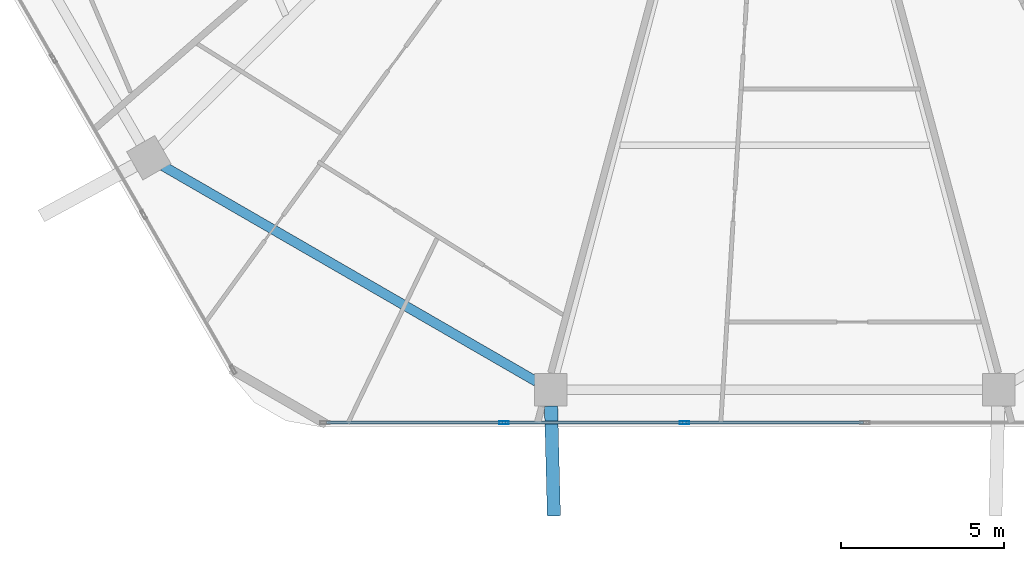
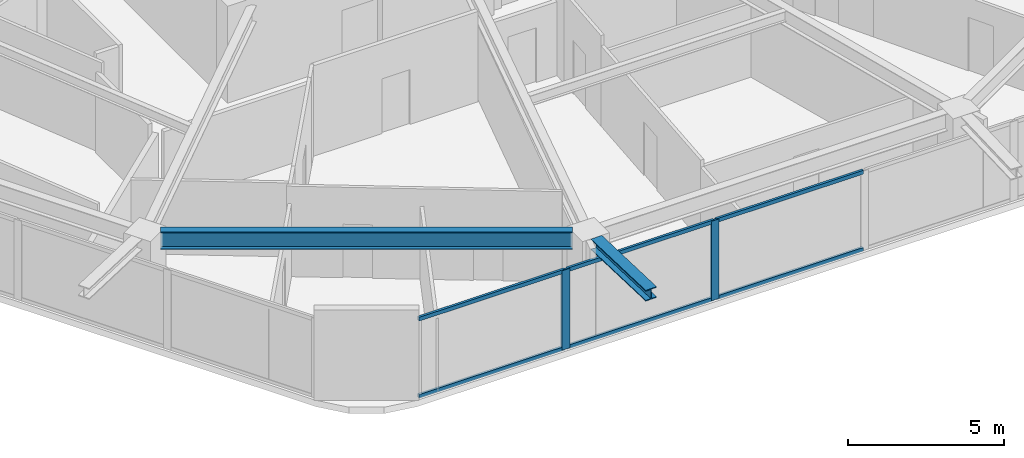
# One storey, part 3 of 26: 8 members, 2 beams, 1 element without a shape of its own.
"""IFC4 building model written with IfcOpenShell, lengths in metres."""

from ifc_helpers import new_model, si_unit, direction, frame, origin, origin_2d, place, context, subcontext, project, spatial, hollow_rectangle, i_section, extrude, material, material_profile, profile_set, type_object, element, aggregate, save


model = new_model("IFC4")

# Units and contexts
model_context = context("Model", 3, precision=1e-05, world=origin(), true_north=direction((0.0, 1.0)))
body_context = subcontext(model_context, "Body", "Model", "MODEL_VIEW")
ifc_project = project(units=[si_unit("LENGTHUNIT", "METRE"), si_unit("AREAUNIT", "SQUARE_METRE"), si_unit("VOLUMEUNIT", "CUBIC_METRE"), si_unit("PLANEANGLEUNIT", "RADIAN"), si_unit("MASSUNIT", "GRAM", prefix="KILO")], contexts=[model_context])

# Site, building, storey
site_placement = place(None, origin())
site = spatial("IfcSite", under=ifc_project, at=site_placement, CompositionType="ELEMENT")
building_placement = place(site_placement, origin())
building = spatial("IfcBuilding", under=site, at=building_placement, Name="Zuhravey Tower", CompositionType="ELEMENT")
storey_placement = place(building_placement, frame((0.0, 0.0, 165.60009765625)))
storey = spatial("IfcBuildingStorey", under=building, at=storey_placement, Name="L41", CompositionType="ELEMENT", Elevation=165.60009765625)

# Curtain wall, members
ifc_material_1 = material(Name="Thermally broken anodised aluminium", Category="aluminium")
curtain_wall_type = type_object("IfcCurtainWallType", Name="Zone 1-2 Residential Curtain Wall CW3", PredefinedType="NOTDEFINED", material=ifc_material_1)
curtain_wall_placement = place(storey_placement, origin())
curtain_wall = element("IfcCurtainWall", 1, at=curtain_wall_placement, inside=storey, type_object=curtain_wall_type, Name="L41 CW3 CW-L41-F5-1", PredefinedType="NOTDEFINED")
ifc_material_2 = material(Name="Anodised aluminium", Category="aluminium")
ifc_material_profile_1 = material_profile(ifc_material_2, hollow_rectangle(XDim=0.090087890625, YDim=0.284912109375, WallThickness=0.0048828125, at=origin_2d()), Name="ALU-RHS-90x285x5")
ifc_profile_set_1 = profile_set([ifc_material_profile_1], Name="Anodised aluminium")
member_type_1 = type_object("IfcMemberType", Name="Curtain-Wall Mullion 90x180", PredefinedType="MULLION", material=ifc_profile_set_1)
member_1_placement = place(storey_placement, frame((33.227783203125, 4.81689453125, 0.0), z_axis=(0.0, 0.0, 1.0), x_axis=(0.0, -1.0, 0.0)))
member_1 = element("IfcMember", 2, at=member_1_placement, type_object=member_type_1, Name="CW3 mullion 4", PredefinedType="MULLION", context=body_context, shape_type="SweptSolid", body=[
    extrude(hollow_rectangle(XDim=0.090087890625, YDim=0.284912109375, WallThickness=0.0048828125, at=origin_2d()), origin(), (0.0, 0.0, 1.0), 3.121826171875),
])
member_2_placement = place(storey_placement, frame((27.683349609375, 4.81689453125, 0.0), z_axis=(0.0, 0.0, 1.0), x_axis=(0.0, -1.0, 0.0)))
member_2 = element("IfcMember", 3, at=member_2_placement, type_object=member_type_1, Name="CW3 mullion 5", PredefinedType="MULLION", context=body_context, shape_type="SweptSolid", body=[
    extrude(hollow_rectangle(XDim=0.090087890625, YDim=0.284912109375, WallThickness=0.0048828125, at=origin_2d()), origin(), (0.0, 0.0, 1.0), 3.121826171875),
])
ifc_material_profile_2 = material_profile(ifc_material_2, hollow_rectangle(XDim=0.090087890625, YDim=0.14990234375, WallThickness=0.0048828125, at=origin_2d()), Name="ALU-RHS-90x150x5")
ifc_profile_set_2 = profile_set([ifc_material_profile_2], Name="Anodised aluminium")
member_type_2 = type_object("IfcMemberType", Name="Curtain-Wall Transom 90x150", PredefinedType="USERDEFINED", material=ifc_profile_set_2)
member_3_placement = place(storey_placement, frame((38.727294921875, 4.81689453125, 0.044921875), z_axis=(-1.0, 0.0, 0.0), x_axis=(0.0, -1.0, 0.0)))
member_3 = element("IfcMember", 4, at=member_3_placement, type_object=member_type_2, Name="CW3 transom 3.1", ObjectType="TRANSOM", PredefinedType="USERDEFINED", context=body_context, shape_type="SweptSolid", body=[
    extrude(hollow_rectangle(XDim=0.090087890625, YDim=0.14990234375, WallThickness=0.0048828125, at=origin_2d()), origin(), (0.0, 0.0, 1.0), 5.45458984375),
])
member_4_placement = place(storey_placement, frame((38.727294921875, 4.81689453125, 3.076904296875), z_axis=(-1.0, 0.0, 0.0), x_axis=(0.0, -1.0, 0.0)))
member_4 = element("IfcMember", 5, at=member_4_placement, type_object=member_type_2, Name="CW3 transom 3.2", ObjectType="TRANSOM", PredefinedType="USERDEFINED", context=body_context, shape_type="SweptSolid", body=[
    extrude(hollow_rectangle(XDim=0.090087890625, YDim=0.14990234375, WallThickness=0.0048828125, at=origin_2d()), origin(), (0.0, 0.0, 1.0), 5.45458984375),
])
member_5_placement = place(storey_placement, frame((33.182861328125, 4.81689453125, 0.044921875), z_axis=(-1.0, 0.0, 0.0), x_axis=(0.0, -1.0, 0.0)))
member_5 = element("IfcMember", 6, at=member_5_placement, type_object=member_type_2, Name="CW3 transom 4.1", ObjectType="TRANSOM", PredefinedType="USERDEFINED", context=body_context, shape_type="SweptSolid", body=[
    extrude(hollow_rectangle(XDim=0.090087890625, YDim=0.14990234375, WallThickness=0.0048828125, at=origin_2d()), origin(), (0.0, 0.0, 1.0), 5.45458984375),
])
member_6_placement = place(storey_placement, frame((33.182861328125, 4.81689453125, 3.076904296875), z_axis=(-1.0, 0.0, 0.0), x_axis=(0.0, -1.0, 0.0)))
member_6 = element("IfcMember", 7, at=member_6_placement, type_object=member_type_2, Name="CW3 transom 4.2", ObjectType="TRANSOM", PredefinedType="USERDEFINED", context=body_context, shape_type="SweptSolid", body=[
    extrude(hollow_rectangle(XDim=0.090087890625, YDim=0.14990234375, WallThickness=0.0048828125, at=origin_2d()), origin(), (0.0, 0.0, 1.0), 5.45458984375),
])
member_7_placement = place(storey_placement, frame((27.638427734375, 4.81689453125, 0.044921875), z_axis=(-1.0, 0.0, 0.0), x_axis=(0.0, -1.0, 0.0)))
member_7 = element("IfcMember", 8, at=member_7_placement, type_object=member_type_2, Name="CW3 transom 5.1", ObjectType="TRANSOM", PredefinedType="USERDEFINED", context=body_context, shape_type="SweptSolid", body=[
    extrude(hollow_rectangle(XDim=0.090087890625, YDim=0.14990234375, WallThickness=0.0048828125, at=origin_2d()), origin(), (0.0, 0.0, 1.0), 5.409423828125),
])
member_8_placement = place(storey_placement, frame((27.638427734375, 4.81689453125, 3.076904296875), z_axis=(-1.0, 0.0, 0.0), x_axis=(0.0, -1.0, 0.0)))
member_8 = element("IfcMember", 9, at=member_8_placement, type_object=member_type_2, Name="CW3 transom 5.2", ObjectType="TRANSOM", PredefinedType="USERDEFINED", context=body_context, shape_type="SweptSolid", body=[
    extrude(hollow_rectangle(XDim=0.090087890625, YDim=0.14990234375, WallThickness=0.0048828125, at=origin_2d()), origin(), (0.0, 0.0, 1.0), 5.409423828125),
])
aggregate(curtain_wall, [member_1, member_2, member_3, member_4, member_5, member_6, member_7, member_8])

# Beams
ifc_material_3 = material(Name="Steel SM460", Category="steel")
ifc_material_profile_3 = material_profile(ifc_material_3, i_section(OverallWidth=0.406982421875, OverallDepth=0.427978515625, WebThickness=0.02001953125, FlangeThickness=0.034912109375, at=origin_2d()), Name="H-428x407x20x35")
ifc_profile_set_3 = profile_set([ifc_material_profile_3], Name="Steel SM460")
beam_type_1 = type_object("IfcBeamType", Name="Exoskeleton Node Tie Beam H428x407", PredefinedType="BEAM", material=ifc_profile_set_3)
beam_1_placement = place(storey_placement, frame((29.131103515625, 5.322998046875, 3.3359375), z_axis=(0.025918289048, -0.99966406472, 0.0), x_axis=(0.99966406472, 0.025918289048, 0.0)))
element("IfcBeam", 10, at=beam_1_placement, inside=storey, type_object=beam_type_1, Name="L41 Exoskeleton Node Tie NT1-09", PredefinedType="BEAM", context=body_context, shape_type="SweptSolid", body=[
    extrude(i_section(OverallWidth=0.406982421875, OverallDepth=0.427978515625, WebThickness=0.02001953125, FlangeThickness=0.034912109375, at=origin_2d()), origin(), (0.0, 0.0, 1.0), 3.372314453125),
])
ifc_material_4 = material(Name="Steel SM355", Category="steel")
ifc_material_profile_4 = material_profile(ifc_material_4, i_section(OverallWidth=0.300048828125, OverallDepth=0.679931640625, WebThickness=0.012939453125, FlangeThickness=0.02197265625, at=origin_2d()), Name="H-680x300x13x22")
ifc_profile_set_4 = profile_set([ifc_material_profile_4], Name="Steel SM355")
beam_type_2 = type_object("IfcBeamType", Name="Perimeter Ring Beam H680x300", PredefinedType="BEAM", material=ifc_profile_set_4)
beam_2_placement = place(storey_placement, frame((17.210205078125, 12.701904296875, 3.2099609375), z_axis=(0.866022923061, -0.500004296715, 0.0), x_axis=(0.500004296715, 0.866022923061, 0.0)))
element("IfcBeam", 11, at=beam_2_placement, inside=storey, type_object=beam_type_2, Name="L41 PB2 BM-L41-PB-08", PredefinedType="BEAM", context=body_context, shape_type="SweptSolid", body=[
    extrude(i_section(OverallWidth=0.300048828125, OverallDepth=0.679931640625, WebThickness=0.012939453125, FlangeThickness=0.02197265625, at=origin_2d()), origin(), (0.0, 0.0, 1.0), 13.2470703125),
])

save(model, "model.ifc")
